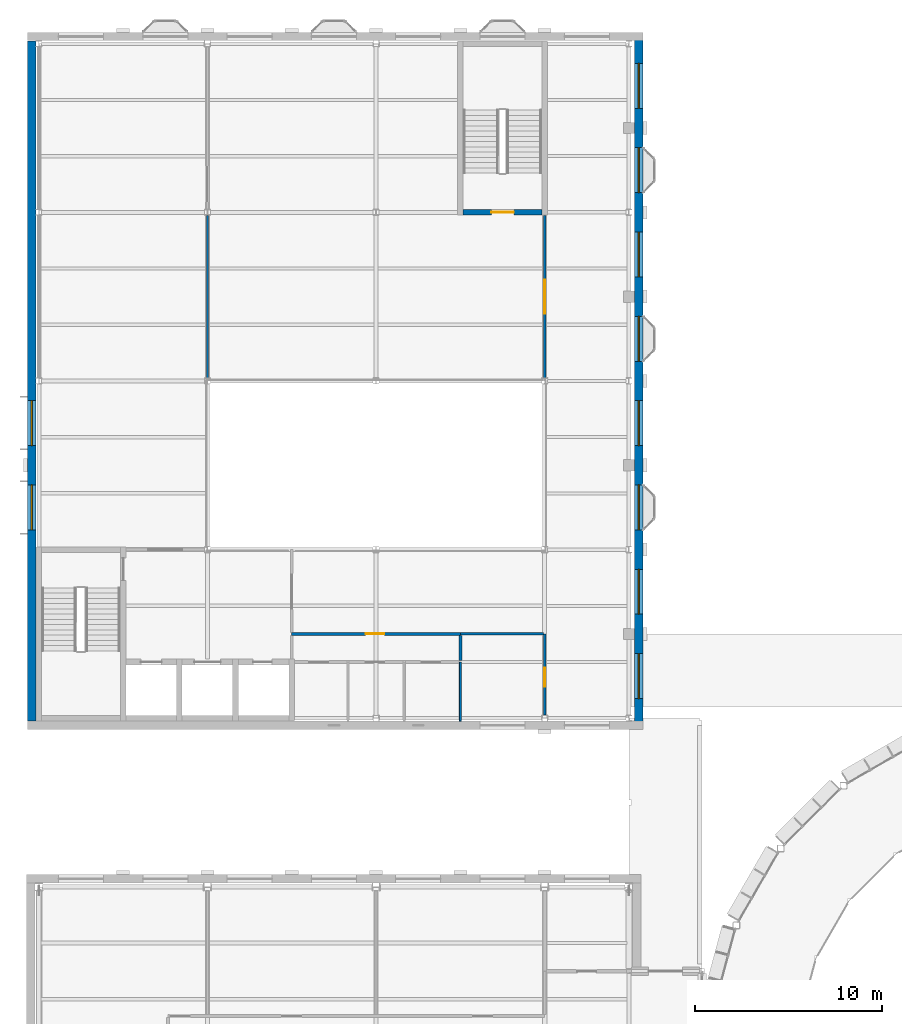
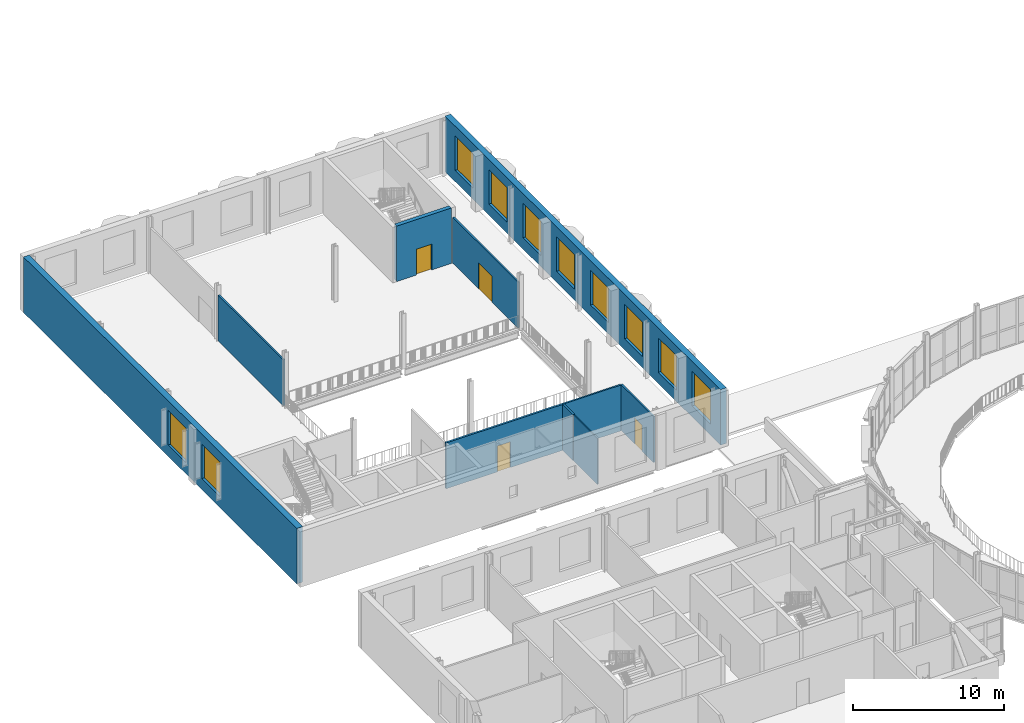
# One storey, part 43 of 74: 10 walls, 10 windows, 4 doors, 14 openings.
"""IFC4 building model written with IfcOpenShell, lengths in metres."""

from ifc_helpers import new_model, si_unit, direction, frame, frame_2d, origin, place, context, subcontext, project, spatial, rectangle, extrude, material, layer, layer_set, type_object, element, fill, save


model = new_model("IFC4")

# Units and contexts
model_context = context("Model", 3, precision=1e-05, world=origin(), true_north=direction((0.0, 1.0)))
body_context = subcontext(model_context, "Body", "Model", "MODEL_VIEW")
ifc_project = project(units=[si_unit("LENGTHUNIT", "METRE"), si_unit("AREAUNIT", "SQUARE_METRE"), si_unit("VOLUMEUNIT", "CUBIC_METRE"), si_unit("PLANEANGLEUNIT", "RADIAN"), si_unit("MASSUNIT", "GRAM", prefix="KILO")], contexts=[model_context])

# Site, building, storey
site_placement = place(None, origin())
site = spatial("IfcSite", under=ifc_project, at=site_placement, CompositionType="ELEMENT")
building_placement = place(site_placement, origin())
building = spatial("IfcBuilding", under=site, at=building_placement, Name="Hortulan Conservatory and Botanical Research Centre", CompositionType="ELEMENT")
storey_placement = place(building_placement, frame((0.0, 0.0, 6.0)))
storey = spatial("IfcBuildingStorey", under=building, at=storey_placement, Name="L01", CompositionType="ELEMENT", Elevation=6.0)

# Wall, opening, door
ifc_material_1 = material(Name="Concrete N40 (40 MPa, AS 3600)", Category="concrete")
ifc_layer_1 = layer(ifc_material_1, 0.300048828125)
ifc_layer_set_1 = layer_set([ifc_layer_1], Name="Core Wall 300 N40 FRL 180/120/120")
wall_type_1 = type_object("IfcWallType", Name="Core Wall 300 N40 FRL 180/120/120", PredefinedType="SHEAR", material=ifc_layer_set_1)
wall_1_placement = place(storey_placement, frame((22.64990234375, 63.0, 0.0), z_axis=(0.0, 0.0, 1.0), x_axis=(1.0, 0.0, 0.0)))
wall_1 = element("IfcWall", 1, at=wall_1_placement, inside=storey, type_object=wall_type_1, Name="Reinforced concrete shaft wall", PredefinedType="SHEAR", context=body_context, shape_type="SweptSolid", body=[
    extrude(rectangle(XDim=4.2001953125, YDim=0.300048828125, at=frame_2d((2.10009765625, 0.0))), origin(), (0.0, 0.0, 1.0), 4.5),
])
opening_1_placement = place(wall_1_placement, frame((1.5, 0.0, 0.0)))
opening_1 = element("IfcOpeningElement", 2, at=opening_1_placement, cuts=wall_1, Name="Opening DT5", PredefinedType="OPENING", context=body_context, shape_type="SweptSolid", body=[
    extrude(rectangle(XDim=1.199951171875, YDim=2.10009765625, at=frame_2d((0.60009765625, 1.050048828125))), frame((0.0, 0.159912109375, 0.0), z_axis=(0.0, -1.0, 0.0), x_axis=(1.0, 0.0, 0.0)), (0.0, 0.0, 1.0), 0.320068359375),
])
ifc_material_2 = material(Name="Steel door leaf, insulated", Category="steel")
door_type_1 = type_object("IfcDoorType", Name="Stair Door 1200x2100 FRL -/120/30", OperationType="NOTDEFINED", PredefinedType="DOOR", material=ifc_material_2)
door_1_placement = place(opening_1_placement, origin())
door_1 = element("IfcDoor", 3, at=door_1_placement, inside=storey, type_object=door_type_1, Name="Stair door V2 L01 S to Plant Worlds Permanent Gallery", OperationType="SINGLE_SWING_LEFT", OverallHeight=2.10009765625, OverallWidth=1.199951171875, PredefinedType="DOOR", context=body_context, shape_type="SweptSolid", body=[
    extrude(rectangle(XDim=1.199951171875, YDim=2.10009765625, at=frame_2d((0.60009765625, 1.050048828125))), frame((0.0, 0.02490234375, 0.0), z_axis=(0.0, -1.0, 0.0), x_axis=(1.0, 0.0, 0.0)), (0.0, 0.0, 1.0), 0.050048828125),
])
fill(opening_1, door_1)

# Wall
ifc_material_3 = material(Name="Fire-rated plasterboard on steel studs", Category="steel")
ifc_layer_2 = layer(ifc_material_3, 0.14990234375)
ifc_layer_set_2 = layer_set([ifc_layer_2], Name="Lobby Partition 150")
wall_type_2 = type_object("IfcWallType", Name="Lobby Partition 150", PredefinedType="PARTITIONING", material=ifc_layer_set_2)
wall_2_placement = place(storey_placement, frame((22.5, 39.074951171875, 0.0), z_axis=(0.0, 0.0, 1.0), x_axis=(0.0, 1.0, 0.0)))
element("IfcWall", 4, at=wall_2_placement, inside=storey, type_object=wall_type_2, Name="Partition WC Lobby and Plant Worlds Gallery Store L01", PredefinedType="PARTITIONING", context=body_context, shape_type="SweptSolid", body=[
    extrude(rectangle(XDim=1.340087890625, YDim=0.14990234375, at=frame_2d((0.669921875, 0.0))), origin(), (0.0, 0.0, 1.0), 3.718017578125),
])

# Wall, opening, door
wall_3_placement = place(storey_placement, frame((13.5, 40.5, 0.0), z_axis=(0.0, 0.0, 1.0), x_axis=(1.0, 0.0, 0.0)))
wall_3 = element("IfcWall", 5, at=wall_3_placement, inside=storey, type_object=wall_type_2, Name="Partition WC Lobby and Gallery Walk L01", PredefinedType="PARTITIONING", context=body_context, shape_type="SweptSolid", body=[
    extrude(rectangle(XDim=9.0, YDim=0.14990234375, at=frame_2d((4.5, 0.0))), origin(), (0.0, 0.0, 1.0), 3.718017578125),
])
opening_2_placement = place(wall_3_placement, frame((3.937744140625, 0.0, 0.0)))
opening_2 = element("IfcOpeningElement", 6, at=opening_2_placement, cuts=wall_3, Name="Opening DT4", PredefinedType="OPENING", context=body_context, shape_type="SweptSolid", body=[
    extrude(rectangle(XDim=1.0, YDim=2.10009765625, at=frame_2d((0.5, 1.050048828125))), frame((0.0, 0.0849609375, 0.0), z_axis=(0.0, -1.0, 0.0), x_axis=(1.0, 0.0, 0.0)), (0.0, 0.0, 1.0), 0.169921875),
])
door_type_2 = type_object("IfcDoorType", Name="Fire Door 1000x2100 FRL -/60/30", OperationType="NOTDEFINED", PredefinedType="DOOR", material=ifc_material_2)
door_2_placement = place(opening_2_placement, origin())
door_2 = element("IfcDoor", 7, at=door_2_placement, inside=storey, type_object=door_type_2, Name="Door DT4 WC Lobby to Gallery Walk", OperationType="SINGLE_SWING_LEFT", OverallHeight=2.10009765625, OverallWidth=1.0, PredefinedType="DOOR", context=body_context, shape_type="SweptSolid", body=[
    extrude(rectangle(XDim=1.0, YDim=2.10009765625, at=frame_2d((0.5, 1.050048828125))), frame((0.0, 0.02490234375, 0.0), z_axis=(0.0, -1.0, 0.0), x_axis=(1.0, 0.0, 0.0)), (0.0, 0.0, 1.0), 0.050048828125),
])
fill(opening_2, door_2)

# Wall
ifc_material_4 = material(Name="Plasterboard on steel studs", Category="steel")
ifc_layer_3 = layer(ifc_material_4, 0.125)
ifc_layer_set_3 = layer_set([ifc_layer_3], Name="Partition 125")
wall_type_3 = type_object("IfcWallType", Name="Partition 125", PredefinedType="PARTITIONING", material=ifc_layer_set_3)
wall_4_placement = place(storey_placement, frame((9.0, 54.17041015625, 0.0), z_axis=(0.0, 0.0, 1.0), x_axis=(0.0, 1.0, 0.0)))
element("IfcWall", 8, at=wall_4_placement, inside=storey, type_object=wall_type_3, Name="Partition Special Exhibition Gallery and Plant Worlds Permanent Gallery L01", PredefinedType="PARTITIONING", context=body_context, shape_type="SweptSolid", body=[
    extrude(rectangle(XDim=8.6591796875, YDim=0.125, at=frame_2d((4.32958984375, 0.0))), origin(), (0.0, 0.0, 1.0), 3.718017578125),
])

# Wall, opening, door
wall_5_placement = place(storey_placement, frame((27.0, 36.17041015625, 0.0), z_axis=(0.0, 0.0, 1.0), x_axis=(0.0, 1.0, 0.0)))
wall_5 = element("IfcWall", 9, at=wall_5_placement, inside=storey, type_object=wall_type_3, Name="Partition Gallery Walk and Plant Worlds Gallery Store L01", PredefinedType="PARTITIONING", context=body_context, shape_type="SweptSolid", body=[
    extrude(rectangle(XDim=4.32958984375, YDim=0.125, at=frame_2d((2.164794921875, 0.0))), origin(), (0.0, 0.0, 1.0), 3.718017578125),
])
opening_3_placement = place(wall_5_placement, frame((1.517578125, 0.0, 0.0)))
opening_3 = element("IfcOpeningElement", 10, at=opening_3_placement, cuts=wall_5, Name="Opening DT1", PredefinedType="OPENING", context=body_context, shape_type="SweptSolid", body=[
    extrude(rectangle(XDim=1.0, YDim=2.10009765625, at=frame_2d((0.5, 1.050048828125))), frame((0.0, 0.072509765625, 0.0), z_axis=(0.0, -1.0, 0.0), x_axis=(1.0, 0.0, 0.0)), (0.0, 0.0, 1.0), 0.14501953125),
])
ifc_material_5 = material(Name="Timber door leaf in timber frame", Category="wood")
door_type_3 = type_object("IfcDoorType", Name="Single Door 1000x2100", OperationType="NOTDEFINED", PredefinedType="DOOR", material=ifc_material_5)
door_3_placement = place(opening_3_placement, origin())
door_3 = element("IfcDoor", 11, at=door_3_placement, inside=storey, type_object=door_type_3, Name="Door DT1 Plant Worlds Gallery Store to Gallery Walk", OperationType="SINGLE_SWING_LEFT", OverallHeight=2.10009765625, OverallWidth=1.0, PredefinedType="DOOR", context=body_context, shape_type="SweptSolid", body=[
    extrude(rectangle(XDim=1.0, YDim=2.10009765625, at=frame_2d((0.5, 1.050048828125))), frame((0.0, 0.02490234375, 0.0), z_axis=(0.0, -1.0, 0.0), x_axis=(1.0, 0.0, 0.0)), (0.0, 0.0, 1.0), 0.050048828125),
])
fill(opening_3, door_3)

wall_6_placement = place(storey_placement, frame((27.0, 54.17041015625, 0.0), z_axis=(0.0, 0.0, 1.0), x_axis=(0.0, 1.0, 0.0)))
wall_6 = element("IfcWall", 12, at=wall_6_placement, inside=storey, type_object=wall_type_3, Name="Partition Gallery Walk and Plant Worlds Permanent Gallery L01", PredefinedType="PARTITIONING", context=body_context, shape_type="SweptSolid", body=[
    extrude(rectangle(XDim=8.669677734375, YDim=0.125, at=frame_2d((4.3349609375, 0.0))), origin(), (0.0, 0.0, 1.0), 3.718017578125),
])
opening_4_placement = place(wall_6_placement, frame((3.429443359375, 0.0, 0.0)))
opening_4 = element("IfcOpeningElement", 13, at=opening_4_placement, cuts=wall_6, Name="Opening DL1", PredefinedType="OPENING", context=body_context, shape_type="SweptSolid", body=[
    extrude(rectangle(XDim=1.800048828125, YDim=2.10009765625, at=frame_2d((0.89990234375, 1.050048828125))), frame((0.0, 0.072509765625, 0.0), z_axis=(0.0, -1.0, 0.0), x_axis=(1.0, 0.0, 0.0)), (0.0, 0.0, 1.0), 0.14501953125),
])
ifc_material_6 = material(Name="Glazed aluminium door leaves in aluminium frame", Category="aluminium")
door_type_4 = type_object("IfcDoorType", Name="Glazed Double Door 1800 x 2100", OperationType="DOUBLE_DOOR_SINGLE_SWING", PredefinedType="DOOR", material=ifc_material_6)
door_4_placement = place(opening_4_placement, frame((1.800048828125, 0.0, 0.0), z_axis=(0.0, 0.0, 1.0), x_axis=(-1.0, 0.0, 0.0)))
door_4 = element("IfcDoor", 14, at=door_4_placement, inside=storey, type_object=door_type_4, Name="Door DL1 Plant Worlds Permanent Gallery to Gallery Walk", OperationType="DOUBLE_DOOR_SINGLE_SWING", OverallHeight=2.10009765625, OverallWidth=1.800048828125, PredefinedType="DOOR", context=body_context, shape_type="SweptSolid", body=[
    extrude(rectangle(XDim=1.800048828125, YDim=2.10009765625, at=frame_2d((0.89990234375, 1.050048828125))), frame((0.0, 0.02490234375, 0.0), z_axis=(0.0, -1.0, 0.0), x_axis=(1.0, 0.0, 0.0)), (0.0, 0.0, 1.0), 0.050048828125),
])
fill(opening_4, door_4)

# Wall
wall_7_placement = place(storey_placement, frame((22.510009765625, 40.5, 0.0), z_axis=(0.0, 0.0, 1.0), x_axis=(1.0, 0.0, 0.0)))
element("IfcWall", 15, at=wall_7_placement, inside=storey, type_object=wall_type_3, Name="Partition Gallery Walk and Plant Worlds Gallery Store L01", PredefinedType="PARTITIONING", context=body_context, shape_type="SweptSolid", body=[
    extrude(rectangle(XDim=4.41748046875, YDim=0.125, at=frame_2d((2.208740234375, 0.0))), origin(), (0.0, 0.0, 1.0), 3.718017578125),
])

# Wall, openings, windows
ifc_material_7 = material(Name="Sandstone masonry (Hawkesbury yellow block)", Category="masonry")
ifc_layer_4 = layer(ifc_material_7, 0.449951171875)
ifc_layer_set_4 = layer_set([ifc_layer_4], Name="Sandstone Masonry Cavity Wall 450")
wall_type_4 = type_object("IfcWallType", Name="Sandstone Masonry Cavity Wall 450", PredefinedType="STANDARD", material=ifc_layer_set_4)
wall_8_placement = place(storey_placement, frame((-0.37939453125, 35.845458984375, 0.0), z_axis=(0.0, 0.0, 1.0), x_axis=(0.0, 1.0, 0.0)))
wall_8 = element("IfcWall", 16, at=wall_8_placement, inside=storey, type_object=wall_type_4, Name="E-EW-VC-L01-W2", PredefinedType="STANDARD", context=body_context, shape_type="SweptSolid", body=[
    extrude(rectangle(XDim=36.30908203125, YDim=0.449951171875, at=frame_2d((18.154541015625, 0.0))), origin(), (0.0, 0.0, 1.0), 4.5),
])
opening_5_placement = place(wall_8_placement, frame((10.20458984375, 0.0, 0.89990234375)))
opening_5 = element("IfcOpeningElement", 17, at=opening_5_placement, cuts=wall_8, Name="Opening W2", PredefinedType="OPENING", context=body_context, shape_type="SweptSolid", body=[
    extrude(rectangle(XDim=2.39990234375, YDim=2.800048828125, at=frame_2d((1.199951171875, 1.39990234375))), frame((0.0, 0.23486328125, 0.0), z_axis=(0.0, -1.0, 0.0), x_axis=(1.0, 0.0, 0.0)), (0.0, 0.0, 1.0), 0.469970703125),
])
opening_6_placement = place(wall_8_placement, frame((14.70458984375, 0.0, 0.89990234375)))
opening_6 = element("IfcOpeningElement", 18, at=opening_6_placement, cuts=wall_8, Name="Opening W2", PredefinedType="OPENING", context=body_context, shape_type="SweptSolid", body=[
    extrude(rectangle(XDim=2.39990234375, YDim=2.800048828125, at=frame_2d((1.199951171875, 1.39990234375))), frame((0.0, 0.23486328125, 0.0), z_axis=(0.0, -1.0, 0.0), x_axis=(1.0, 0.0, 0.0)), (0.0, 0.0, 1.0), 0.469970703125),
])
ifc_material_8 = material(Name="Bronze-finished aluminium frame with low-e laminated double glazing", Category="aluminium")
window_type = type_object("IfcWindowType", Name="Sandstone Window 2400x2800", PartitioningType="SINGLE_PANEL", PredefinedType="WINDOW", material=ifc_material_8)
window_1_placement = place(opening_5_placement, origin())
window_1 = element("IfcWindow", 19, at=window_1_placement, inside=storey, type_object=window_type, Name="Sandstone window", OverallHeight=2.800048828125, OverallWidth=2.39990234375, PartitioningType="SINGLE_PANEL", PredefinedType="WINDOW", context=body_context, shape_type="SweptSolid", body=[
    extrude(rectangle(XDim=2.39990234375, YDim=2.800048828125, at=frame_2d((1.199951171875, 1.39990234375))), frame((0.0, 0.030029296875, 0.0), z_axis=(0.0, -1.0, 0.0), x_axis=(1.0, 0.0, 0.0)), (0.0, 0.0, 1.0), 0.06005859375),
])
fill(opening_5, window_1)
window_2_placement = place(opening_6_placement, origin())
window_2 = element("IfcWindow", 20, at=window_2_placement, inside=storey, type_object=window_type, Name="Sandstone window", OverallHeight=2.800048828125, OverallWidth=2.39990234375, PartitioningType="SINGLE_PANEL", PredefinedType="WINDOW", context=body_context, shape_type="SweptSolid", body=[
    extrude(rectangle(XDim=2.39990234375, YDim=2.800048828125, at=frame_2d((1.199951171875, 1.39990234375))), frame((0.0, 0.030029296875, 0.0), z_axis=(0.0, -1.0, 0.0), x_axis=(1.0, 0.0, 0.0)), (0.0, 0.0, 1.0), 0.06005859375),
])
fill(opening_6, window_2)

wall_9_placement = place(storey_placement, frame((32.02490234375, 72.300048828125, 0.0), z_axis=(0.0, 0.0, 1.0), x_axis=(0.0, -1.0, 0.0)))
wall_9 = element("IfcWall", 21, at=wall_9_placement, inside=storey, type_object=wall_type_4, Name="E-EW-VC-L01-E4", PredefinedType="STANDARD", context=body_context, shape_type="SweptSolid", body=[
    extrude(rectangle(XDim=36.60009765625, YDim=0.449951171875, at=frame_2d((18.300048828125, 0.0))), origin(), (0.0, 0.0, 1.0), 4.5),
])
opening_7_placement = place(wall_9_placement, frame((32.85009765625, 0.0, 0.89990234375)))
opening_7 = element("IfcOpeningElement", 22, at=opening_7_placement, cuts=wall_9, Name="Opening W2", PredefinedType="OPENING", context=body_context, shape_type="SweptSolid", body=[
    extrude(rectangle(XDim=2.39990234375, YDim=2.800048828125, at=frame_2d((1.199951171875, 1.39990234375))), frame((0.0, 0.23486328125, 0.0), z_axis=(0.0, -1.0, 0.0), x_axis=(1.0, 0.0, 0.0)), (0.0, 0.0, 1.0), 0.469970703125),
])
opening_8_placement = place(wall_9_placement, frame((28.35009765625, 0.0, 0.89990234375)))
opening_8 = element("IfcOpeningElement", 23, at=opening_8_placement, cuts=wall_9, Name="Opening W2", PredefinedType="OPENING", context=body_context, shape_type="SweptSolid", body=[
    extrude(rectangle(XDim=2.39990234375, YDim=2.800048828125, at=frame_2d((1.199951171875, 1.39990234375))), frame((0.0, 0.23486328125, 0.0), z_axis=(0.0, -1.0, 0.0), x_axis=(1.0, 0.0, 0.0)), (0.0, 0.0, 1.0), 0.469970703125),
])
opening_9_placement = place(wall_9_placement, frame((23.85009765625, 0.0, 0.89990234375)))
opening_9 = element("IfcOpeningElement", 24, at=opening_9_placement, cuts=wall_9, Name="Opening W2", PredefinedType="OPENING", context=body_context, shape_type="SweptSolid", body=[
    extrude(rectangle(XDim=2.39990234375, YDim=2.800048828125, at=frame_2d((1.199951171875, 1.39990234375))), frame((0.0, 0.23486328125, 0.0), z_axis=(0.0, -1.0, 0.0), x_axis=(1.0, 0.0, 0.0)), (0.0, 0.0, 1.0), 0.469970703125),
])
opening_10_placement = place(wall_9_placement, frame((19.35009765625, 0.0, 0.89990234375)))
opening_10 = element("IfcOpeningElement", 25, at=opening_10_placement, cuts=wall_9, Name="Opening W2", PredefinedType="OPENING", context=body_context, shape_type="SweptSolid", body=[
    extrude(rectangle(XDim=2.39990234375, YDim=2.800048828125, at=frame_2d((1.199951171875, 1.39990234375))), frame((0.0, 0.23486328125, 0.0), z_axis=(0.0, -1.0, 0.0), x_axis=(1.0, 0.0, 0.0)), (0.0, 0.0, 1.0), 0.469970703125),
])
opening_11_placement = place(wall_9_placement, frame((14.85009765625, 0.0, 0.89990234375)))
opening_11 = element("IfcOpeningElement", 26, at=opening_11_placement, cuts=wall_9, Name="Opening W2", PredefinedType="OPENING", context=body_context, shape_type="SweptSolid", body=[
    extrude(rectangle(XDim=2.39990234375, YDim=2.800048828125, at=frame_2d((1.199951171875, 1.39990234375))), frame((0.0, 0.23486328125, 0.0), z_axis=(0.0, -1.0, 0.0), x_axis=(1.0, 0.0, 0.0)), (0.0, 0.0, 1.0), 0.469970703125),
])
opening_12_placement = place(wall_9_placement, frame((10.35009765625, 0.0, 0.89990234375)))
opening_12 = element("IfcOpeningElement", 27, at=opening_12_placement, cuts=wall_9, Name="Opening W2", PredefinedType="OPENING", context=body_context, shape_type="SweptSolid", body=[
    extrude(rectangle(XDim=2.39990234375, YDim=2.800048828125, at=frame_2d((1.199951171875, 1.39990234375))), frame((0.0, 0.23486328125, 0.0), z_axis=(0.0, -1.0, 0.0), x_axis=(1.0, 0.0, 0.0)), (0.0, 0.0, 1.0), 0.469970703125),
])
opening_13_placement = place(wall_9_placement, frame((5.85009765625, 0.0, 0.89990234375)))
opening_13 = element("IfcOpeningElement", 28, at=opening_13_placement, cuts=wall_9, Name="Opening W2", PredefinedType="OPENING", context=body_context, shape_type="SweptSolid", body=[
    extrude(rectangle(XDim=2.39990234375, YDim=2.800048828125, at=frame_2d((1.199951171875, 1.39990234375))), frame((0.0, 0.23486328125, 0.0), z_axis=(0.0, -1.0, 0.0), x_axis=(1.0, 0.0, 0.0)), (0.0, 0.0, 1.0), 0.469970703125),
])
opening_14_placement = place(wall_9_placement, frame((1.35009765625, 0.0, 0.89990234375)))
opening_14 = element("IfcOpeningElement", 29, at=opening_14_placement, cuts=wall_9, Name="Opening W2", PredefinedType="OPENING", context=body_context, shape_type="SweptSolid", body=[
    extrude(rectangle(XDim=2.39990234375, YDim=2.800048828125, at=frame_2d((1.199951171875, 1.39990234375))), frame((0.0, 0.23486328125, 0.0), z_axis=(0.0, -1.0, 0.0), x_axis=(1.0, 0.0, 0.0)), (0.0, 0.0, 1.0), 0.469970703125),
])
window_3_placement = place(opening_7_placement, origin())
window_3 = element("IfcWindow", 30, at=window_3_placement, inside=storey, type_object=window_type, Name="Sandstone window", OverallHeight=2.800048828125, OverallWidth=2.39990234375, PartitioningType="SINGLE_PANEL", PredefinedType="WINDOW", context=body_context, shape_type="SweptSolid", body=[
    extrude(rectangle(XDim=2.39990234375, YDim=2.800048828125, at=frame_2d((1.199951171875, 1.39990234375))), frame((0.0, 0.030029296875, 0.0), z_axis=(0.0, -1.0, 0.0), x_axis=(1.0, 0.0, 0.0)), (0.0, 0.0, 1.0), 0.06005859375),
])
fill(opening_7, window_3)
window_4_placement = place(opening_8_placement, origin())
window_4 = element("IfcWindow", 31, at=window_4_placement, inside=storey, type_object=window_type, Name="Sandstone window", OverallHeight=2.800048828125, OverallWidth=2.39990234375, PartitioningType="SINGLE_PANEL", PredefinedType="WINDOW", context=body_context, shape_type="SweptSolid", body=[
    extrude(rectangle(XDim=2.39990234375, YDim=2.800048828125, at=frame_2d((1.199951171875, 1.39990234375))), frame((0.0, 0.030029296875, 0.0), z_axis=(0.0, -1.0, 0.0), x_axis=(1.0, 0.0, 0.0)), (0.0, 0.0, 1.0), 0.06005859375),
])
fill(opening_8, window_4)
window_5_placement = place(opening_9_placement, origin())
window_5 = element("IfcWindow", 32, at=window_5_placement, inside=storey, type_object=window_type, Name="Sandstone window", OverallHeight=2.800048828125, OverallWidth=2.39990234375, PartitioningType="SINGLE_PANEL", PredefinedType="WINDOW", context=body_context, shape_type="SweptSolid", body=[
    extrude(rectangle(XDim=2.39990234375, YDim=2.800048828125, at=frame_2d((1.199951171875, 1.39990234375))), frame((0.0, 0.030029296875, 0.0), z_axis=(0.0, -1.0, 0.0), x_axis=(1.0, 0.0, 0.0)), (0.0, 0.0, 1.0), 0.06005859375),
])
fill(opening_9, window_5)
window_6_placement = place(opening_10_placement, origin())
window_6 = element("IfcWindow", 33, at=window_6_placement, inside=storey, type_object=window_type, Name="Sandstone window", OverallHeight=2.800048828125, OverallWidth=2.39990234375, PartitioningType="SINGLE_PANEL", PredefinedType="WINDOW", context=body_context, shape_type="SweptSolid", body=[
    extrude(rectangle(XDim=2.39990234375, YDim=2.800048828125, at=frame_2d((1.199951171875, 1.39990234375))), frame((0.0, 0.030029296875, 0.0), z_axis=(0.0, -1.0, 0.0), x_axis=(1.0, 0.0, 0.0)), (0.0, 0.0, 1.0), 0.06005859375),
])
fill(opening_10, window_6)
window_7_placement = place(opening_11_placement, origin())
window_7 = element("IfcWindow", 34, at=window_7_placement, inside=storey, type_object=window_type, Name="Sandstone window", OverallHeight=2.800048828125, OverallWidth=2.39990234375, PartitioningType="SINGLE_PANEL", PredefinedType="WINDOW", context=body_context, shape_type="SweptSolid", body=[
    extrude(rectangle(XDim=2.39990234375, YDim=2.800048828125, at=frame_2d((1.199951171875, 1.39990234375))), frame((0.0, 0.030029296875, 0.0), z_axis=(0.0, -1.0, 0.0), x_axis=(1.0, 0.0, 0.0)), (0.0, 0.0, 1.0), 0.06005859375),
])
fill(opening_11, window_7)
window_8_placement = place(opening_12_placement, origin())
window_8 = element("IfcWindow", 35, at=window_8_placement, inside=storey, type_object=window_type, Name="Sandstone window", OverallHeight=2.800048828125, OverallWidth=2.39990234375, PartitioningType="SINGLE_PANEL", PredefinedType="WINDOW", context=body_context, shape_type="SweptSolid", body=[
    extrude(rectangle(XDim=2.39990234375, YDim=2.800048828125, at=frame_2d((1.199951171875, 1.39990234375))), frame((0.0, 0.030029296875, 0.0), z_axis=(0.0, -1.0, 0.0), x_axis=(1.0, 0.0, 0.0)), (0.0, 0.0, 1.0), 0.06005859375),
])
fill(opening_12, window_8)
window_9_placement = place(opening_13_placement, origin())
window_9 = element("IfcWindow", 36, at=window_9_placement, inside=storey, type_object=window_type, Name="Sandstone window", OverallHeight=2.800048828125, OverallWidth=2.39990234375, PartitioningType="SINGLE_PANEL", PredefinedType="WINDOW", context=body_context, shape_type="SweptSolid", body=[
    extrude(rectangle(XDim=2.39990234375, YDim=2.800048828125, at=frame_2d((1.199951171875, 1.39990234375))), frame((0.0, 0.030029296875, 0.0), z_axis=(0.0, -1.0, 0.0), x_axis=(1.0, 0.0, 0.0)), (0.0, 0.0, 1.0), 0.06005859375),
])
fill(opening_13, window_9)
window_10_placement = place(opening_14_placement, origin())
window_10 = element("IfcWindow", 37, at=window_10_placement, inside=storey, type_object=window_type, Name="Sandstone window", OverallHeight=2.800048828125, OverallWidth=2.39990234375, PartitioningType="SINGLE_PANEL", PredefinedType="WINDOW", context=body_context, shape_type="SweptSolid", body=[
    extrude(rectangle(XDim=2.39990234375, YDim=2.800048828125, at=frame_2d((1.199951171875, 1.39990234375))), frame((0.0, 0.030029296875, 0.0), z_axis=(0.0, -1.0, 0.0), x_axis=(1.0, 0.0, 0.0)), (0.0, 0.0, 1.0), 0.06005859375),
])
fill(opening_14, window_10)

# Wall
ifc_material_9 = material(Name="Moisture-resistant plasterboard on steel studs", Category="steel")
ifc_layer_5 = layer(ifc_material_9, 0.10009765625)
ifc_layer_set_5 = layer_set([ifc_layer_5], Name="Wet Area Partition 100")
wall_type_5 = type_object("IfcWallType", Name="Wet Area Partition 100", PredefinedType="PARTITIONING", material=ifc_layer_set_5)
wall_10_placement = place(storey_placement, frame((22.5, 35.849609375, 0.0), z_axis=(0.0, 0.0, 1.0), x_axis=(0.0, 1.0, 0.0)))
element("IfcWall", 38, at=wall_10_placement, inside=storey, type_object=wall_type_5, Name="Partition Men's WC and Plant Worlds Gallery Store L01", PredefinedType="PARTITIONING", context=body_context, shape_type="SweptSolid", body=[
    extrude(rectangle(XDim=3.150390625, YDim=0.10009765625, at=frame_2d((1.5751953125, 0.0))), origin(), (0.0, 0.0, 1.0), 3.718017578125),
])

save(model, "model.ifc")
